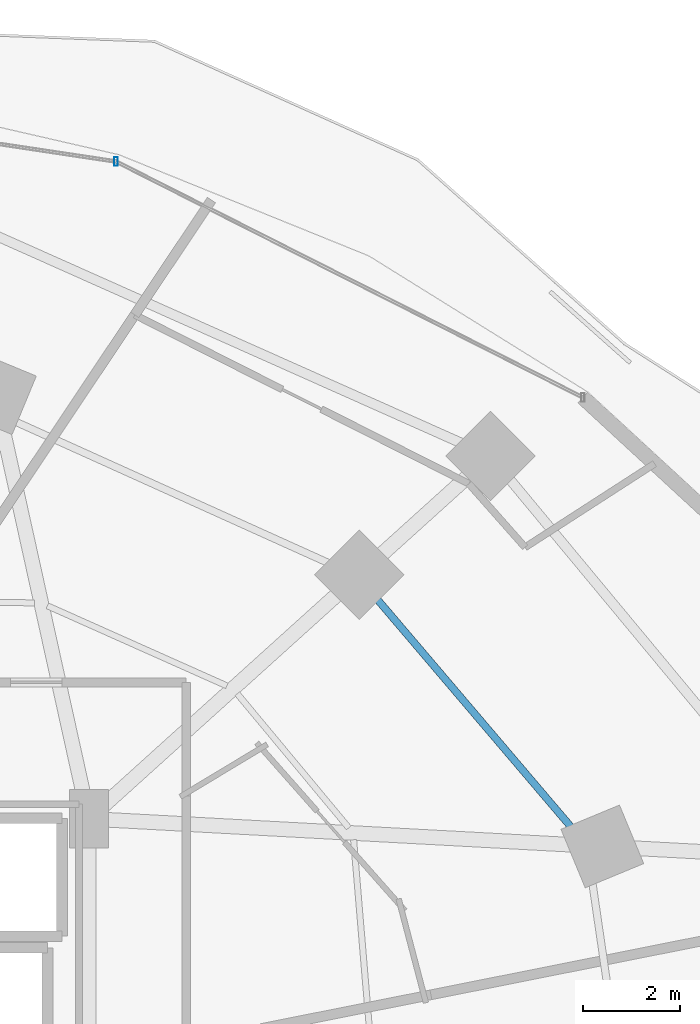
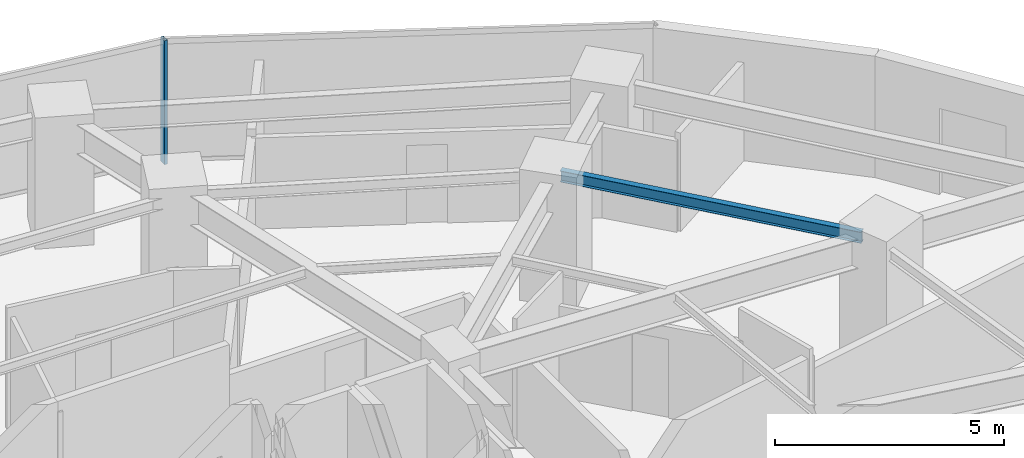
# One storey, part 20 of 30: 1 beam, 1 member, 1 element without a shape of its own.
"""IFC4 building model written with IfcOpenShell, lengths in metres."""

from ifc_helpers import new_model, si_unit, direction, frame, origin, origin_2d, place, context, subcontext, project, spatial, hollow_rectangle, i_section, extrude, material, material_profile, profile_set, type_object, element, aggregate, save


model = new_model("IFC4")

# Units and contexts
model_context = context("Model", 3, precision=1e-05, world=origin(), true_north=direction((0.0, 1.0)))
body_context = subcontext(model_context, "Body", "Model", "MODEL_VIEW")
ifc_project = project(units=[si_unit("LENGTHUNIT", "METRE"), si_unit("AREAUNIT", "SQUARE_METRE"), si_unit("VOLUMEUNIT", "CUBIC_METRE"), si_unit("PLANEANGLEUNIT", "RADIAN"), si_unit("MASSUNIT", "GRAM", prefix="KILO")], contexts=[model_context])

# Site, building, storey
site_placement = place(None, origin())
site = spatial("IfcSite", under=ifc_project, at=site_placement, CompositionType="ELEMENT")
building_placement = place(site_placement, origin())
building = spatial("IfcBuilding", under=site, at=building_placement, Name="Vorneva Point Tower", CompositionType="ELEMENT")
storey_placement = place(building_placement, frame((0.0, 0.0, 41.5)))
storey = spatial("IfcBuildingStorey", under=building, at=storey_placement, Name="L10", CompositionType="ELEMENT", Elevation=41.5)

# Beam
ifc_material_1 = material(Name="Steel S355", Category="steel")
ifc_material_profile_1 = material_profile(ifc_material_1, i_section(OverallWidth=0.14892578125, OverallDepth=0.298095703125, WebThickness=0.005615234375, FlangeThickness=0.008056640625, at=origin_2d()), Name="30B1")
ifc_profile_set_1 = profile_set([ifc_material_profile_1], Name="Steel S355")
beam_type = type_object("IfcBeamType", Name="BM-JST-30B1", PredefinedType="JOIST", material=ifc_profile_set_1)
beam_placement = place(storey_placement, frame((58.8896484375, 32.704345703125, 3.091064453125), z_axis=(-0.648222881184, 0.761450652577, 0.0), x_axis=(-0.761450652577, -0.648222881184, 0.0)))
element("IfcBeam", 1, at=beam_placement, inside=storey, type_object=beam_type, Name="L10 Secondary Floor Beam 1.02", PredefinedType="JOIST", context=body_context, shape_type="SweptSolid", body=[
    extrude(i_section(OverallWidth=0.14892578125, OverallDepth=0.298095703125, WebThickness=0.005615234375, FlangeThickness=0.008056640625, at=origin_2d()), origin(), (0.0, 0.0, 1.0), 6.992431640625),
])

# Curtain wall, member
ifc_material_2 = material(Name="Pale anodised aluminium", Category="aluminium")
curtain_wall_type = type_object("IfcCurtainWallType", Name="CW-HTL-SYS", PredefinedType="NOTDEFINED", material=ifc_material_2)
curtain_wall_placement = place(storey_placement, origin())
curtain_wall = element("IfcCurtainWall", 2, at=curtain_wall_placement, inside=storey, type_object=curtain_wall_type, Name="L10 Unitised Curtain Wall CW-L10-R02", PredefinedType="NOTDEFINED")
ifc_material_profile_2 = material_profile(ifc_material_2, hollow_rectangle(XDim=0.074951171875, YDim=0.179931640625, WallThickness=0.00390625, at=origin_2d()), Name="AL-MUL 180x75x4")
ifc_profile_set_2 = profile_set([ifc_material_profile_2], Name="Pale anodised aluminium")
member_type = type_object("IfcMemberType", Name="CW-MUL-180", PredefinedType="MULLION", material=ifc_profile_set_2)
member_placement = place(storey_placement, frame((49.308349609375, 46.648681640625, -0.0400390625), z_axis=(0.0, 0.0, 1.0), x_axis=(1.0, 0.0, 0.0)))
member = element("IfcMember", 3, at=member_placement, type_object=member_type, Name="CW-L10-R02 Mullion 02", PredefinedType="MULLION", context=body_context, shape_type="SweptSolid", body=[
    extrude(hollow_rectangle(XDim=0.074951171875, YDim=0.179931640625, WallThickness=0.00390625, at=origin_2d()), origin(), (0.0, 0.0, 1.0), 3.31005859375),
])
aggregate(curtain_wall, [member])

save(model, "model.ifc")
